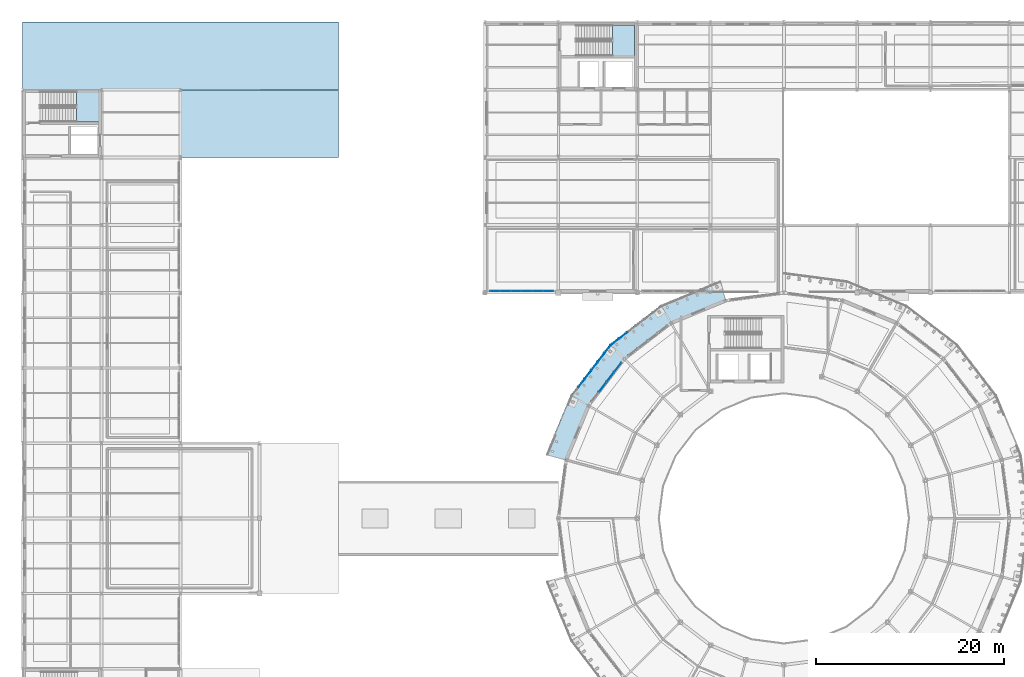
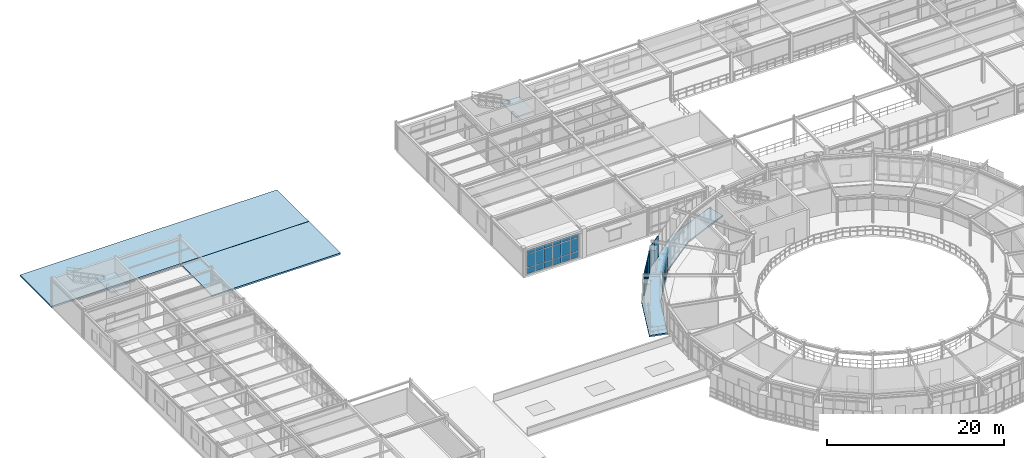
# One storey, part 46 of 70: 34 plates, 5 slabs, 4 elements without a shape of their own.
"""IFC4 building model written with IfcOpenShell, lengths in metres."""

from ifc_helpers import new_model, si_unit, derived_unit, direction, frame, origin, origin_2d, place, context, subcontext, project, spatial, polyline, rectangle, outline, extrude, material, layer, layer_set, type_object, element, aggregate, save


model = new_model("IFC4")

# Units and contexts
model_context = context("Model", 3, precision=1e-05, world=origin(), true_north=direction((0.0, 1.0)))
body_context = subcontext(model_context, "Body", "Model", "MODEL_VIEW")
ifc_project = project(units=[si_unit("LENGTHUNIT", "METRE"), si_unit("AREAUNIT", "SQUARE_METRE"), si_unit("VOLUMEUNIT", "CUBIC_METRE"), si_unit("PLANEANGLEUNIT", "RADIAN"), si_unit("MASSUNIT", "GRAM", prefix="KILO"), derived_unit("THERMALTRANSMITTANCEUNIT", [(si_unit("POWERUNIT", "WATT"), 1), (si_unit("AREAUNIT", "SQUARE_METRE"), -1), (si_unit("THERMODYNAMICTEMPERATUREUNIT", "KELVIN"), -1)])], contexts=[model_context])

# Site, building, storey
site_placement = place(None, origin())
site = spatial("IfcSite", under=ifc_project, at=site_placement, CompositionType="ELEMENT")
building_placement = place(site_placement, origin())
building = spatial("IfcBuilding", under=site, at=building_placement, Name="Yasenodar Specialist Clinic", CompositionType="ELEMENT")
storey_placement = place(building_placement, frame((0.0, 0.0, 13.199951171875)))
storey = spatial("IfcBuildingStorey", under=building, at=storey_placement, Name="L03", CompositionType="ELEMENT", Elevation=13.199951171875)

# Curtain wall, plates
ifc_material_1 = material(Name="Bronze Anodized Aluminium and Triple Low-E Glass", Category="aluminium")
ifc_layer_1 = layer(ifc_material_1, 0.215087890625)
ifc_layer_set_1 = layer_set([ifc_layer_1], Name="Bronze Anodized Aluminium and Triple Low-E Glass")
curtain_wall_type_1 = type_object("IfcCurtainWallType", Name="CW-SYS-05", PredefinedType="USERDEFINED", material=ifc_layer_set_1)
curtain_wall_1_placement = place(storey_placement, origin())
curtain_wall_1 = element("IfcCurtainWall", 1, at=curtain_wall_1_placement, inside=storey, type_object=curtain_wall_type_1, Name="L03 Unitised Curtain Wall 161", ObjectType="UNITISED CURTAIN WALL", PredefinedType="USERDEFINED")
ifc_material_2 = material(Name="Triple Low-E Argon Glazing", Category="glass")
ifc_layer_2 = layer(ifc_material_2, 0.033935546875)
ifc_layer_set_2 = layer_set([ifc_layer_2], Name="Triple Low-E Argon Glazing")
plate_type_1 = type_object("IfcPlateType", Name="CW-PAN-2", PredefinedType="CURTAIN_PANEL", material=ifc_layer_set_2)
plate_1_placement = place(storey_placement, frame((55.93505859375, 82.969970703125, 0.06005859375), z_axis=(0.0, 0.0, 1.0), x_axis=(-1.0, 0.0, 0.0)))
plate_1 = element("IfcPlate", 2, at=plate_1_placement, type_object=plate_type_1, Name="CW-05 panel 1.1", PredefinedType="CURTAIN_PANEL", context=body_context, shape_type="SweptSolid", body=[
    extrude(rectangle(XDim=1.050048828125, YDim=0.033935546875, at=origin_2d()), origin(), (0.0, 0.0, 1.0), 0.81005859375),
])
plate_2_placement = place(storey_placement, frame((55.93505859375, 82.969970703125, 0.93017578125), z_axis=(0.0, 0.0, 1.0), x_axis=(-1.0, 0.0, 0.0)))
plate_2 = element("IfcPlate", 3, at=plate_2_placement, type_object=plate_type_1, Name="CW-05 panel 1.2", PredefinedType="CURTAIN_PANEL", context=body_context, shape_type="SweptSolid", body=[
    extrude(rectangle(XDim=1.050048828125, YDim=0.033935546875, at=origin_2d()), origin(), (0.0, 0.0, 1.0), 1.818115234375),
])
plate_3_placement = place(storey_placement, frame((55.93505859375, 82.969970703125, 2.80810546875), z_axis=(0.0, 0.0, 1.0), x_axis=(-1.0, 0.0, 0.0)))
plate_3 = element("IfcPlate", 4, at=plate_3_placement, type_object=plate_type_1, Name="CW-05 panel 1.3", PredefinedType="CURTAIN_PANEL", context=body_context, shape_type="SweptSolid", body=[
    extrude(rectangle(XDim=1.050048828125, YDim=0.033935546875, at=origin_2d()), origin(), (0.0, 0.0, 1.0), 0.510009765625),
])
plate_4_placement = place(storey_placement, frame((54.81005859375, 82.969970703125, 0.06005859375), z_axis=(0.0, 0.0, 1.0), x_axis=(-1.0, 0.0, 0.0)))
plate_4 = element("IfcPlate", 5, at=plate_4_placement, type_object=plate_type_1, Name="CW-05 panel 2.1", PredefinedType="CURTAIN_PANEL", context=body_context, shape_type="SweptSolid", body=[
    extrude(rectangle(XDim=1.080078125, YDim=0.033935546875, at=origin_2d()), origin(), (0.0, 0.0, 1.0), 0.81005859375),
])
plate_5_placement = place(storey_placement, frame((54.81005859375, 82.969970703125, 0.93017578125), z_axis=(0.0, 0.0, 1.0), x_axis=(-1.0, 0.0, 0.0)))
plate_5 = element("IfcPlate", 6, at=plate_5_placement, type_object=plate_type_1, Name="CW-05 panel 2.2", PredefinedType="CURTAIN_PANEL", context=body_context, shape_type="SweptSolid", body=[
    extrude(rectangle(XDim=1.080078125, YDim=0.033935546875, at=origin_2d()), origin(), (0.0, 0.0, 1.0), 1.818115234375),
])
plate_6_placement = place(storey_placement, frame((54.81005859375, 82.969970703125, 2.80810546875), z_axis=(0.0, 0.0, 1.0), x_axis=(-1.0, 0.0, 0.0)))
plate_6 = element("IfcPlate", 7, at=plate_6_placement, type_object=plate_type_1, Name="CW-05 panel 2.3", PredefinedType="CURTAIN_PANEL", context=body_context, shape_type="SweptSolid", body=[
    extrude(rectangle(XDim=1.080078125, YDim=0.033935546875, at=origin_2d()), origin(), (0.0, 0.0, 1.0), 0.510009765625),
])
plate_7_placement = place(storey_placement, frame((53.669921875, 82.969970703125, 0.06005859375), z_axis=(0.0, 0.0, 1.0), x_axis=(-1.0, 0.0, 0.0)))
plate_7 = element("IfcPlate", 8, at=plate_7_placement, type_object=plate_type_1, Name="CW-05 panel 3.1", PredefinedType="CURTAIN_PANEL", context=body_context, shape_type="SweptSolid", body=[
    extrude(rectangle(XDim=1.080078125, YDim=0.033935546875, at=origin_2d()), origin(), (0.0, 0.0, 1.0), 0.81005859375),
])
plate_8_placement = place(storey_placement, frame((53.669921875, 82.969970703125, 0.93017578125), z_axis=(0.0, 0.0, 1.0), x_axis=(-1.0, 0.0, 0.0)))
plate_8 = element("IfcPlate", 9, at=plate_8_placement, type_object=plate_type_1, Name="CW-05 panel 3.2", PredefinedType="CURTAIN_PANEL", context=body_context, shape_type="SweptSolid", body=[
    extrude(rectangle(XDim=1.080078125, YDim=0.033935546875, at=origin_2d()), origin(), (0.0, 0.0, 1.0), 1.818115234375),
])
plate_9_placement = place(storey_placement, frame((53.669921875, 82.969970703125, 2.80810546875), z_axis=(0.0, 0.0, 1.0), x_axis=(-1.0, 0.0, 0.0)))
plate_9 = element("IfcPlate", 10, at=plate_9_placement, type_object=plate_type_1, Name="CW-05 panel 3.3", PredefinedType="CURTAIN_PANEL", context=body_context, shape_type="SweptSolid", body=[
    extrude(rectangle(XDim=1.080078125, YDim=0.033935546875, at=origin_2d()), origin(), (0.0, 0.0, 1.0), 0.510009765625),
])
plate_10_placement = place(storey_placement, frame((52.530029296875, 82.969970703125, 0.06005859375), z_axis=(0.0, 0.0, 1.0), x_axis=(-1.0, 0.0, 0.0)))
plate_10 = element("IfcPlate", 11, at=plate_10_placement, type_object=plate_type_1, Name="CW-05 panel 4.1", PredefinedType="CURTAIN_PANEL", context=body_context, shape_type="SweptSolid", body=[
    extrude(rectangle(XDim=1.080078125, YDim=0.033935546875, at=origin_2d()), origin(), (0.0, 0.0, 1.0), 0.81005859375),
])
plate_11_placement = place(storey_placement, frame((52.530029296875, 82.969970703125, 0.93017578125), z_axis=(0.0, 0.0, 1.0), x_axis=(-1.0, 0.0, 0.0)))
plate_11 = element("IfcPlate", 12, at=plate_11_placement, type_object=plate_type_1, Name="CW-05 panel 4.2", PredefinedType="CURTAIN_PANEL", context=body_context, shape_type="SweptSolid", body=[
    extrude(rectangle(XDim=1.080078125, YDim=0.033935546875, at=origin_2d()), origin(), (0.0, 0.0, 1.0), 1.818115234375),
])
plate_12_placement = place(storey_placement, frame((52.530029296875, 82.969970703125, 2.80810546875), z_axis=(0.0, 0.0, 1.0), x_axis=(-1.0, 0.0, 0.0)))
plate_12 = element("IfcPlate", 13, at=plate_12_placement, type_object=plate_type_1, Name="CW-05 panel 4.3", PredefinedType="CURTAIN_PANEL", context=body_context, shape_type="SweptSolid", body=[
    extrude(rectangle(XDim=1.080078125, YDim=0.033935546875, at=origin_2d()), origin(), (0.0, 0.0, 1.0), 0.510009765625),
])
plate_13_placement = place(storey_placement, frame((51.389892578125, 82.969970703125, 0.06005859375), z_axis=(0.0, 0.0, 1.0), x_axis=(-1.0, 0.0, 0.0)))
plate_13 = element("IfcPlate", 14, at=plate_13_placement, type_object=plate_type_1, Name="CW-05 panel 5.1", PredefinedType="CURTAIN_PANEL", context=body_context, shape_type="SweptSolid", body=[
    extrude(rectangle(XDim=1.080078125, YDim=0.033935546875, at=origin_2d()), origin(), (0.0, 0.0, 1.0), 0.81005859375),
])
plate_14_placement = place(storey_placement, frame((51.389892578125, 82.969970703125, 0.93017578125), z_axis=(0.0, 0.0, 1.0), x_axis=(-1.0, 0.0, 0.0)))
plate_14 = element("IfcPlate", 15, at=plate_14_placement, type_object=plate_type_1, Name="CW-05 panel 5.2", PredefinedType="CURTAIN_PANEL", context=body_context, shape_type="SweptSolid", body=[
    extrude(rectangle(XDim=1.080078125, YDim=0.033935546875, at=origin_2d()), origin(), (0.0, 0.0, 1.0), 1.818115234375),
])
plate_15_placement = place(storey_placement, frame((51.389892578125, 82.969970703125, 2.80810546875), z_axis=(0.0, 0.0, 1.0), x_axis=(-1.0, 0.0, 0.0)))
plate_15 = element("IfcPlate", 16, at=plate_15_placement, type_object=plate_type_1, Name="CW-05 panel 5.3", PredefinedType="CURTAIN_PANEL", context=body_context, shape_type="SweptSolid", body=[
    extrude(rectangle(XDim=1.080078125, YDim=0.033935546875, at=origin_2d()), origin(), (0.0, 0.0, 1.0), 0.510009765625),
])
plate_16_placement = place(storey_placement, frame((50.264892578125, 82.969970703125, 0.06005859375), z_axis=(0.0, 0.0, 1.0), x_axis=(-1.0, 0.0, 0.0)))
plate_16 = element("IfcPlate", 17, at=plate_16_placement, type_object=plate_type_1, Name="CW-05 panel 6.1", PredefinedType="CURTAIN_PANEL", context=body_context, shape_type="SweptSolid", body=[
    extrude(rectangle(XDim=1.050048828125, YDim=0.033935546875, at=origin_2d()), origin(), (0.0, 0.0, 1.0), 0.81005859375),
])
plate_17_placement = place(storey_placement, frame((50.264892578125, 82.969970703125, 0.93017578125), z_axis=(0.0, 0.0, 1.0), x_axis=(-1.0, 0.0, 0.0)))
plate_17 = element("IfcPlate", 18, at=plate_17_placement, type_object=plate_type_1, Name="CW-05 panel 6.2", PredefinedType="CURTAIN_PANEL", context=body_context, shape_type="SweptSolid", body=[
    extrude(rectangle(XDim=1.050048828125, YDim=0.033935546875, at=origin_2d()), origin(), (0.0, 0.0, 1.0), 1.818115234375),
])
plate_18_placement = place(storey_placement, frame((50.264892578125, 82.969970703125, 2.80810546875), z_axis=(0.0, 0.0, 1.0), x_axis=(-1.0, 0.0, 0.0)))
plate_18 = element("IfcPlate", 19, at=plate_18_placement, type_object=plate_type_1, Name="CW-05 panel 6.3", PredefinedType="CURTAIN_PANEL", context=body_context, shape_type="SweptSolid", body=[
    extrude(rectangle(XDim=1.050048828125, YDim=0.033935546875, at=origin_2d()), origin(), (0.0, 0.0, 1.0), 0.510009765625),
])
aggregate(curtain_wall_1, [plate_1, plate_2, plate_3, plate_4, plate_5, plate_6, plate_7, plate_8, plate_9, plate_10, plate_11, plate_12, plate_13, plate_14, plate_15, plate_16, plate_17, plate_18])

ifc_layer_3 = layer(ifc_material_1, 0.1669921875)
ifc_layer_set_3 = layer_set([ifc_layer_3], Name="Bronze Anodized Aluminium and Triple Low-E Glass")
curtain_wall_type_2 = type_object("IfcCurtainWallType", Name="CW-SYS-01", PredefinedType="USERDEFINED", material=ifc_layer_set_3)
curtain_wall_2_placement = place(storey_placement, origin())
curtain_wall_2 = element("IfcCurtainWall", 20, at=curtain_wall_2_placement, inside=storey, type_object=curtain_wall_type_2, Name="L03 Unitised Curtain Wall 046", ObjectType="UNITISED CURTAIN WALL", PredefinedType="USERDEFINED")
ifc_layer_4 = layer(ifc_material_2, 0.0400390625)
ifc_layer_set_4 = layer_set([ifc_layer_4], Name="Triple Low-E Argon Glazing")
plate_type_2 = type_object("IfcPlateType", Name="CW-PAN-3", PredefinedType="CURTAIN_PANEL", material=ifc_layer_set_4)
plate_19_placement = place(storey_placement, frame((61.71875, 72.75927734375, 0.06005859375), z_axis=(0.0, 0.0, 1.0), x_axis=(0.608752021844, 0.793360558574, 0.0)))
plate_19 = element("IfcPlate", 21, at=plate_19_placement, type_object=plate_type_2, Name="CW-01 panel 2.1", PredefinedType="CURTAIN_PANEL", context=body_context, shape_type="SweptSolid", body=[
    extrude(rectangle(XDim=1.266357421875, YDim=0.0400390625, at=origin_2d()), origin(), (0.0, 0.0, 1.0), 0.81005859375),
])
plate_20_placement = place(storey_placement, frame((61.71875, 72.75927734375, 0.93017578125), z_axis=(0.0, 0.0, 1.0), x_axis=(0.608752021844, 0.793360558574, 0.0)))
plate_20 = element("IfcPlate", 22, at=plate_20_placement, type_object=plate_type_2, Name="CW-01 panel 2.2", PredefinedType="CURTAIN_PANEL", context=body_context, shape_type="SweptSolid", body=[
    extrude(rectangle(XDim=1.266357421875, YDim=0.0400390625, at=origin_2d()), origin(), (0.0, 0.0, 1.0), 1.827880859375),
])
plate_21_placement = place(storey_placement, frame((61.71875, 72.75927734375, 2.81787109375), z_axis=(0.0, 0.0, 1.0), x_axis=(0.608752021844, 0.793360558574, 0.0)))
plate_21 = element("IfcPlate", 23, at=plate_21_placement, type_object=plate_type_2, Name="CW-01 panel 2.3", PredefinedType="CURTAIN_PANEL", context=body_context, shape_type="SweptSolid", body=[
    extrude(rectangle(XDim=1.266357421875, YDim=0.0400390625, at=origin_2d()), origin(), (0.0, 0.0, 1.0), 0.510009765625),
])
plate_22_placement = place(storey_placement, frame((62.526123046875, 73.8115234375, 0.06005859375), z_axis=(0.0, 0.0, 1.0), x_axis=(0.608752021844, 0.793360558574, 0.0)))
plate_22 = element("IfcPlate", 24, at=plate_22_placement, type_object=plate_type_2, Name="CW-01 panel 3.1", PredefinedType="CURTAIN_PANEL", context=body_context, shape_type="SweptSolid", body=[
    extrude(rectangle(XDim=1.266357421875, YDim=0.0400390625, at=origin_2d()), origin(), (0.0, 0.0, 1.0), 0.81005859375),
])
plate_23_placement = place(storey_placement, frame((62.526123046875, 73.8115234375, 0.93017578125), z_axis=(0.0, 0.0, 1.0), x_axis=(0.608752021844, 0.793360558574, 0.0)))
plate_23 = element("IfcPlate", 25, at=plate_23_placement, type_object=plate_type_2, Name="CW-01 panel 3.2", PredefinedType="CURTAIN_PANEL", context=body_context, shape_type="SweptSolid", body=[
    extrude(rectangle(XDim=1.266357421875, YDim=0.0400390625, at=origin_2d()), origin(), (0.0, 0.0, 1.0), 1.827880859375),
])
plate_24_placement = place(storey_placement, frame((62.526123046875, 73.8115234375, 2.81787109375), z_axis=(0.0, 0.0, 1.0), x_axis=(0.608752021844, 0.793360558574, 0.0)))
plate_24 = element("IfcPlate", 26, at=plate_24_placement, type_object=plate_type_2, Name="CW-01 panel 3.3", PredefinedType="CURTAIN_PANEL", context=body_context, shape_type="SweptSolid", body=[
    extrude(rectangle(XDim=1.266357421875, YDim=0.0400390625, at=origin_2d()), origin(), (0.0, 0.0, 1.0), 0.510009765625),
])
plate_25_placement = place(storey_placement, frame((63.324462890625, 74.851806640625, 0.06005859375), z_axis=(0.0, 0.0, 1.0), x_axis=(0.608752021844, 0.793360558574, 0.0)))
plate_25 = element("IfcPlate", 27, at=plate_25_placement, type_object=plate_type_2, Name="CW-01 panel 4.1", PredefinedType="CURTAIN_PANEL", context=body_context, shape_type="SweptSolid", body=[
    extrude(rectangle(XDim=1.236328125, YDim=0.0400390625, at=origin_2d()), origin(), (0.0, 0.0, 1.0), 0.81005859375),
])
plate_26_placement = place(storey_placement, frame((63.324462890625, 74.851806640625, 0.93017578125), z_axis=(0.0, 0.0, 1.0), x_axis=(0.608752021844, 0.793360558574, 0.0)))
plate_26 = element("IfcPlate", 28, at=plate_26_placement, type_object=plate_type_2, Name="CW-01 panel 4.2", PredefinedType="CURTAIN_PANEL", context=body_context, shape_type="SweptSolid", body=[
    extrude(rectangle(XDim=1.236328125, YDim=0.0400390625, at=origin_2d()), origin(), (0.0, 0.0, 1.0), 1.827880859375),
])
plate_27_placement = place(storey_placement, frame((63.324462890625, 74.851806640625, 2.81787109375), z_axis=(0.0, 0.0, 1.0), x_axis=(0.608752021844, 0.793360558574, 0.0)))
plate_27 = element("IfcPlate", 29, at=plate_27_placement, type_object=plate_type_2, Name="CW-01 panel 4.3", PredefinedType="CURTAIN_PANEL", context=body_context, shape_type="SweptSolid", body=[
    extrude(rectangle(XDim=1.236328125, YDim=0.0400390625, at=origin_2d()), origin(), (0.0, 0.0, 1.0), 0.510009765625),
])
aggregate(curtain_wall_2, [plate_19, plate_20, plate_21, plate_22, plate_23, plate_24, plate_25, plate_26, plate_27])

# Plates
ifc_material_3 = material(Name="Thermally Modified Larch and Bronze Girih Jali Screen")
ifc_layer_5 = layer(ifc_material_3, 0.06494140625)
ifc_layer_set_5 = layer_set([ifc_layer_5], Name="Thermally Modified Larch and Bronze Girih Jali Screen")
plate_type_3 = type_object("IfcPlateType", Name="PL-JALI-850", PredefinedType="USERDEFINED", material=ifc_layer_set_5)
for number, where, z_axis, x_axis, name in (
    (30, (63.91552734375, 78.256103515625, 0.0048828125), (0.0, 0.0, 1.0), (-0.793351200869, -0.608764217148, 0.0), "L03 Sliding Timber-Bronze Jali Shutter Screen 0260"),
    (31, (63.01123046875, 77.56201171875, 0.0048828125), (0.0, 0.0, 1.0), (-0.793351200869, -0.608764217148, 0.0), "L03 Sliding Timber-Bronze Jali Shutter Screen 0261"),
    (32, (62.23779296875, 76.788818359375, 0.0048828125), (0.0, 0.0, 1.0), (-0.608764217148, -0.793351200869, 0.0), "L03 Sliding Timber-Bronze Jali Shutter Screen 0262"),
    (33, (61.5439453125, 75.884521484375, 0.0048828125), (0.0, 0.0, 1.0), (-0.608764217148, -0.793351200869, 0.0), "L03 Sliding Timber-Bronze Jali Shutter Screen 0263"),
    (34, (60.85009765625, 74.97998046875, 0.0048828125), (0.0, 0.0, 1.0), (-0.608764217148, -0.793351200869, 0.0), "L03 Sliding Timber-Bronze Jali Shutter Screen 0264"),
    (35, (60.156005859375, 74.07568359375, 0.0048828125), (0.0, 0.0, 1.0), (-0.608764217148, -0.793351200869, 0.0), "L03 Sliding Timber-Bronze Jali Shutter Screen 0265"),
    (36, (59.462158203125, 73.17138671875, 0.0048828125), (0.0, 0.0, 1.0), (-0.608764217148, -0.793351200869, 0.0), "L03 Sliding Timber-Bronze Jali Shutter Screen 0266"),
):
    element("IfcPlate", number, at=place(storey_placement, frame(where, z_axis=z_axis, x_axis=x_axis)), inside=storey, type_object=plate_type_3, Name=name, ObjectType="SCREEN_PANEL", PredefinedType="USERDEFINED", context=body_context, shape_type="SweptSolid", body=[
        extrude(rectangle(XDim=1.0400390625, YDim=0.06494140625, at=origin_2d()), origin(), (0.0, 0.0, 1.0), 2.949951171875),
    ])

# Slab
ifc_material_4 = material(Name="Concrete C30/37", Category="concrete")
ifc_layer_6 = layer(ifc_material_4, 0.195068359375)
ifc_layer_set_6 = layer_set([ifc_layer_6], Name="Concrete C30/37")
slab_type_1 = type_object("IfcSlabType", Name="SLB-BALC-195", PredefinedType="FLOOR", material=ifc_layer_set_6)
slab_1_placement = place(storey_placement, frame((0.0, 0.0, -0.195068359375)))
element("IfcSlab", 37, at=slab_1_placement, inside=storey, type_object=slab_type_1, Name="L03 Drum V1 Balcony Sector 2", PredefinedType="FLOOR", context=body_context, shape_type="SweptSolid", body=[
    extrude(outline(polyline([(55.692626953125, 65.5810546875), (58.31005859375, 71.89990234375), (62.473876953125, 77.326171875), (67.89990234375, 81.489990234375), (74.218994140625, 84.107421875), (74.784423828125, 81.996826171875), (68.992431640625, 79.59765625), (64.018798828125, 75.78125), (60.202392578125, 70.8076171875), (57.80322265625, 65.015625), (55.692626953125, 65.5810546875)])), origin(), (0.0, 0.0, 1.0), 0.195068359375),
])

# Stair, slab
stair_type_1 = type_object("IfcStairType", Name="ST-DOG-C2-28", PredefinedType="HALF_TURN_STAIR", material=ifc_material_4)
stair_1_placement = place(storey_placement, origin())
stair_1 = element("IfcStair", 38, at=stair_1_placement, inside=storey, type_object=stair_type_1, Name="L03 Core C2 Exit Stair ST-02", PredefinedType="HALF_TURN_STAIR")
ifc_layer_7 = layer(ifc_material_4, 0.199951171875)
ifc_layer_set_7 = layer_set([ifc_layer_7], Name="Concrete C30/37")
slab_type_2 = type_object("IfcSlabType", Name="SLB-LND-200", PredefinedType="LANDING", material=ifc_layer_set_7)
slab_2_placement = place(storey_placement, frame((0.0, 0.0, 1.824951171875)))
slab_2 = element("IfcSlab", 39, at=slab_2_placement, type_object=slab_type_2, Name="ST-02 landing 1", PredefinedType="LANDING", context=body_context, shape_type="SweptSolid", body=[
    extrude(outline(polyline([(5.739990234375, 100.9599609375), (8.1201171875, 100.9599609375), (8.1201171875, 104.199951171875), (5.739990234375, 104.199951171875), (5.739990234375, 100.9599609375)])), origin(), (0.0, 0.0, 1.0), 0.2001953125),
])
aggregate(stair_1, [slab_2])

stair_type_2 = type_object("IfcStairType", Name="ST-DOG-C4-28", PredefinedType="HALF_TURN_STAIR", material=ifc_material_4)
stair_2_placement = place(storey_placement, origin())
stair_2 = element("IfcStair", 40, at=stair_2_placement, inside=storey, type_object=stair_type_2, Name="L03 Core C4 Exit Stair ST-04", PredefinedType="HALF_TURN_STAIR")
slab_3_placement = place(storey_placement, frame((0.0, 0.0, 1.824951171875)))
slab_3 = element("IfcSlab", 41, at=slab_3_placement, type_object=slab_type_2, Name="ST-04 landing 1", PredefinedType="LANDING", context=body_context, shape_type="SweptSolid", body=[
    extrude(outline(polyline([(62.77001953125, 108.010009765625), (65.1201171875, 108.010009765625), (65.1201171875, 111.31005859375), (62.77001953125, 111.31005859375), (62.77001953125, 108.010009765625)])), origin(), (0.0, 0.0, 1.0), 0.2001953125),
])
aggregate(stair_2, [slab_3])

# Slabs
ifc_layer_8 = layer(ifc_material_4, 0.22509765625)
ifc_layer_set_8 = layer_set([ifc_layer_8], Name="Concrete C30/37")
slab_type_3 = type_object("IfcSlabType", Name="SLB-ROOF-225", PredefinedType="ROOF", material=ifc_layer_set_8)
slab_4_placement = place(storey_placement, frame((0.0, 0.0, -0.224853515625)))
element("IfcSlab", 42, at=slab_4_placement, inside=storey, type_object=slab_type_3, Name="V4 North-West Shoulder Roof Slab", PredefinedType="ROOF", context=body_context, shape_type="SweptSolid", body=[
    extrude(outline(polyline([(0.0, 111.60009765625), (33.60009765625, 111.60009765625), (33.60009765625, 104.39990234375), (0.0, 104.4150390625), (0.0, 111.60009765625)])), origin(), (0.0, 0.0, 1.0), 0.224853515625),
])
slab_5_placement = place(storey_placement, frame((0.0, 0.0, -0.224853515625)))
element("IfcSlab", 43, at=slab_5_placement, inside=storey, type_object=slab_type_3, Name="V4 North Courtyard Setback Roof Slab", PredefinedType="ROOF", context=body_context, shape_type="SweptSolid", body=[
    extrude(outline(polyline([(33.60009765625, 97.199951171875), (16.81494140625, 97.199951171875), (16.81494140625, 104.392578125), (33.60009765625, 104.385009765625), (33.60009765625, 97.199951171875)])), origin(), (0.0, 0.0, 1.0), 0.224853515625),
])

save(model, "model.ifc")
